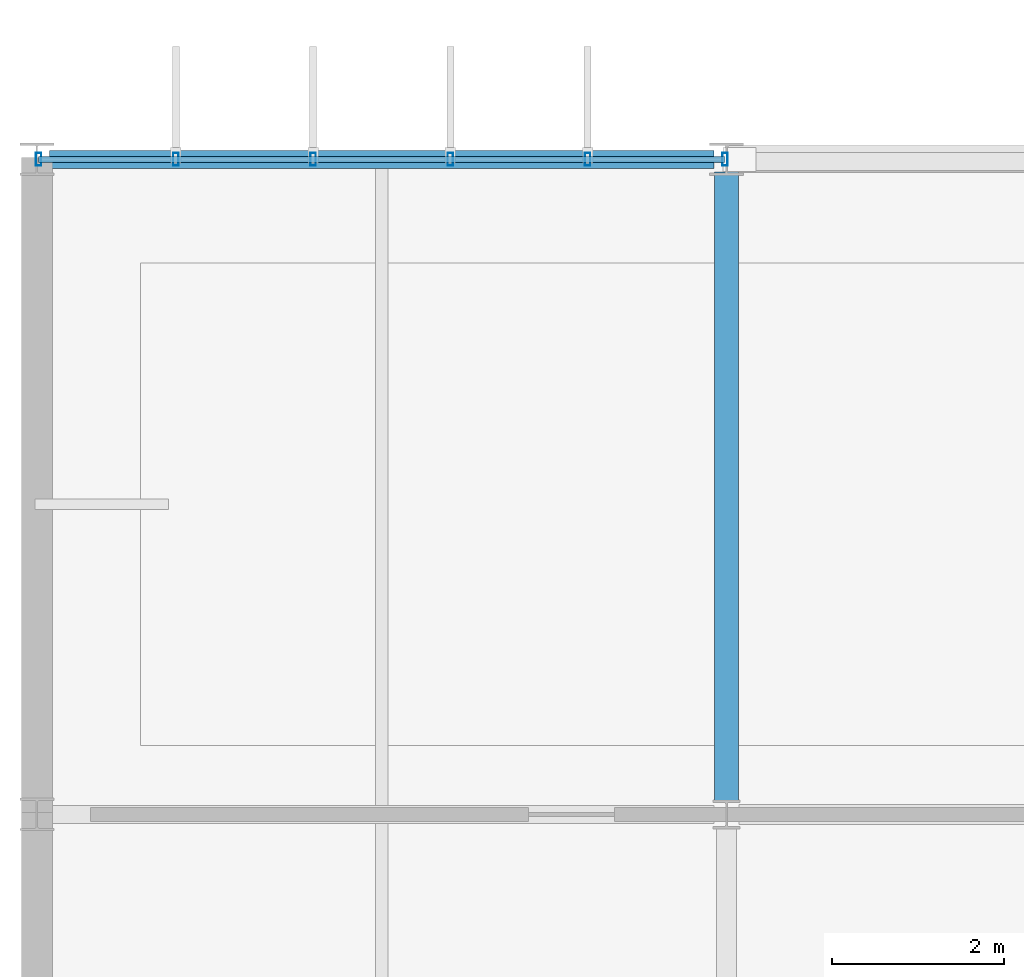
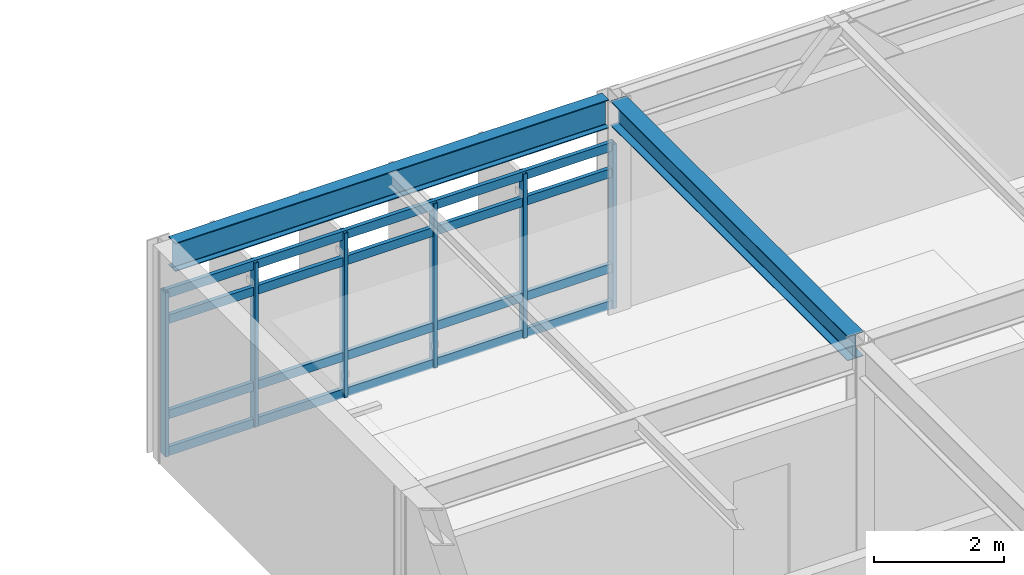
# One storey, part 24 of 85: 10 members, 2 beams, 1 element without a shape of its own.
"""IFC4 building model written with IfcOpenShell, lengths in metres."""

from ifc_helpers import new_model, si_unit, direction, frame, origin, origin_2d, place, context, subcontext, project, spatial, hollow_rectangle, i_section, extrude, material, material_profile, profile_set, type_object, element, aggregate, save


model = new_model("IFC4")

# Units and contexts
model_context = context("Model", 3, precision=1e-05, world=origin(), true_north=direction((0.0, 1.0)))
body_context = subcontext(model_context, "Body", "Model", "MODEL_VIEW")
ifc_project = project(units=[si_unit("LENGTHUNIT", "METRE"), si_unit("AREAUNIT", "SQUARE_METRE"), si_unit("VOLUMEUNIT", "CUBIC_METRE"), si_unit("PLANEANGLEUNIT", "RADIAN"), si_unit("MASSUNIT", "GRAM", prefix="KILO")], contexts=[model_context])

# Site, building, storey
site_placement = place(None, origin())
site = spatial("IfcSite", under=ifc_project, at=site_placement, CompositionType="ELEMENT")
building_placement = place(site_placement, origin())
building = spatial("IfcBuilding", under=site, at=building_placement, Name="Zulena Civic Courthouse", CompositionType="ELEMENT")
storey_placement = place(building_placement, frame((0.0, 0.0, 25.199951171875)))
storey = spatial("IfcBuildingStorey", under=building, at=storey_placement, Name="L05", CompositionType="ELEMENT", Elevation=25.199951171875)

# Curtain wall, members
ifc_material_1 = material(Name="Double-silver low-E laminated solar-control glass", Category="glass")
curtain_wall_type = type_object("IfcCurtainWallType", Name="CW_7964x3090", PredefinedType="USERDEFINED", material=ifc_material_1)
curtain_wall_placement = place(storey_placement, origin())
curtain_wall = element("IfcCurtainWall", 1, at=curtain_wall_placement, inside=storey, type_object=curtain_wall_type, Name="cw:V2:L05:1:0", ObjectType="UNITISED CURTAIN WALL", PredefinedType="USERDEFINED")
ifc_material_2 = material(Name="Bronze anodised thermally broken aluminium AA6063-T6", Category="aluminium")
ifc_material_profile_1 = material_profile(ifc_material_2, hollow_rectangle(XDim=0.06494140625, YDim=0.14990234375, WallThickness=0.00390625, at=origin_2d()), Name="CWM150X65X4")
ifc_profile_set_1 = profile_set([ifc_material_profile_1], Name="Bronze anodised thermally broken aluminium AA6063-T6")
member_type_1 = type_object("IfcMemberType", Name="CWMullion_150x65", PredefinedType="MULLION", material=ifc_profile_set_1)
member_1_placement = place(storey_placement, frame((4.01806640625, 22.800048828125, 0.0), z_axis=(0.0, 0.0, 1.0), x_axis=(1.0, 0.0, 0.0)))
member_1 = element("IfcMember", 2, at=member_1_placement, type_object=member_type_1, Name="cw:V2:L05:1:0:mull:0", PredefinedType="MULLION", context=body_context, shape_type="SweptSolid", body=[
    extrude(hollow_rectangle(XDim=0.06494140625, YDim=0.14990234375, WallThickness=0.00390625, at=origin_2d()), origin(), (0.0, 0.0, 1.0), 3.090087890625),
])
member_2_placement = place(storey_placement, frame((5.61083984375, 22.800048828125, 0.0), z_axis=(0.0, 0.0, 1.0), x_axis=(1.0, 0.0, 0.0)))
member_2 = element("IfcMember", 3, at=member_2_placement, type_object=member_type_1, Name="cw:V2:L05:1:0:mull:1", PredefinedType="MULLION", context=body_context, shape_type="SweptSolid", body=[
    extrude(hollow_rectangle(XDim=0.06494140625, YDim=0.14990234375, WallThickness=0.00390625, at=origin_2d()), origin(), (0.0, 0.0, 1.0), 3.090087890625),
])
member_3_placement = place(storey_placement, frame((7.20361328125, 22.800048828125, 0.0), z_axis=(0.0, 0.0, 1.0), x_axis=(1.0, 0.0, 0.0)))
member_3 = element("IfcMember", 4, at=member_3_placement, type_object=member_type_1, Name="cw:V2:L05:1:0:mull:2", PredefinedType="MULLION", context=body_context, shape_type="SweptSolid", body=[
    extrude(hollow_rectangle(XDim=0.06494140625, YDim=0.14990234375, WallThickness=0.00390625, at=origin_2d()), origin(), (0.0, 0.0, 1.0), 3.090087890625),
])
member_4_placement = place(storey_placement, frame((8.79638671875, 22.800048828125, 0.0), z_axis=(0.0, 0.0, 1.0), x_axis=(1.0, 0.0, 0.0)))
member_4 = element("IfcMember", 5, at=member_4_placement, type_object=member_type_1, Name="cw:V2:L05:1:0:mull:3", PredefinedType="MULLION", context=body_context, shape_type="SweptSolid", body=[
    extrude(hollow_rectangle(XDim=0.06494140625, YDim=0.14990234375, WallThickness=0.00390625, at=origin_2d()), origin(), (0.0, 0.0, 1.0), 3.090087890625),
])
member_5_placement = place(storey_placement, frame((10.38916015625, 22.800048828125, 0.0), z_axis=(0.0, 0.0, 1.0), x_axis=(1.0, 0.0, 0.0)))
member_5 = element("IfcMember", 6, at=member_5_placement, type_object=member_type_1, Name="cw:V2:L05:1:0:mull:4", PredefinedType="MULLION", context=body_context, shape_type="SweptSolid", body=[
    extrude(hollow_rectangle(XDim=0.06494140625, YDim=0.14990234375, WallThickness=0.00390625, at=origin_2d()), origin(), (0.0, 0.0, 1.0), 3.090087890625),
])
member_6_placement = place(storey_placement, frame((11.98193359375, 22.800048828125, 0.0), z_axis=(0.0, 0.0, 1.0), x_axis=(1.0, 0.0, 0.0)))
member_6 = element("IfcMember", 7, at=member_6_placement, type_object=member_type_1, Name="cw:V2:L05:1:0:mull:5", PredefinedType="MULLION", context=body_context, shape_type="SweptSolid", body=[
    extrude(hollow_rectangle(XDim=0.06494140625, YDim=0.14990234375, WallThickness=0.00390625, at=origin_2d()), origin(), (0.0, 0.0, 1.0), 3.090087890625),
])
ifc_material_profile_2 = material_profile(ifc_material_2, hollow_rectangle(XDim=0.070068359375, YDim=0.1650390625, WallThickness=0.00390625, at=origin_2d()), Name="CWT165X70X4")
ifc_profile_set_2 = profile_set([ifc_material_profile_2], Name="Bronze anodised thermally broken aluminium AA6063-T6")
member_type_2 = type_object("IfcMemberType", Name="CWTransom_165x70", PredefinedType="USERDEFINED", material=ifc_profile_set_2)
member_7_placement = place(storey_placement, frame((4.01806640625, 22.800048828125, 0.06005859375), z_axis=(1.0, 0.0, 0.0), x_axis=(0.0, 1.0, 0.0)))
member_7 = element("IfcMember", 8, at=member_7_placement, type_object=member_type_2, Name="cw:V2:L05:1:0:tran:0", ObjectType="TRANSOM", PredefinedType="USERDEFINED", context=body_context, shape_type="SweptSolid", body=[
    extrude(hollow_rectangle(XDim=0.070068359375, YDim=0.1650390625, WallThickness=0.00390625, at=origin_2d()), origin(), (0.0, 0.0, 1.0), 7.9638671875),
])
member_8_placement = place(storey_placement, frame((4.01806640625, 22.800048828125, 0.75), z_axis=(1.0, 0.0, 0.0), x_axis=(0.0, 1.0, 0.0)))
member_8 = element("IfcMember", 9, at=member_8_placement, type_object=member_type_2, Name="cw:V2:L05:1:0:tran:1", ObjectType="TRANSOM", PredefinedType="USERDEFINED", context=body_context, shape_type="SweptSolid", body=[
    extrude(hollow_rectangle(XDim=0.070068359375, YDim=0.1650390625, WallThickness=0.00390625, at=origin_2d()), origin(), (0.0, 0.0, 1.0), 7.9638671875),
])
member_9_placement = place(storey_placement, frame((4.01806640625, 22.800048828125, 2.5400390625), z_axis=(1.0, 0.0, 0.0), x_axis=(0.0, 1.0, 0.0)))
member_9 = element("IfcMember", 10, at=member_9_placement, type_object=member_type_2, Name="cw:V2:L05:1:0:tran:2", ObjectType="TRANSOM", PredefinedType="USERDEFINED", context=body_context, shape_type="SweptSolid", body=[
    extrude(hollow_rectangle(XDim=0.070068359375, YDim=0.1650390625, WallThickness=0.00390625, at=origin_2d()), origin(), (0.0, 0.0, 1.0), 7.9638671875),
])
member_10_placement = place(storey_placement, frame((4.01806640625, 22.800048828125, 3.030029296875), z_axis=(1.0, 0.0, 0.0), x_axis=(0.0, 1.0, 0.0)))
member_10 = element("IfcMember", 11, at=member_10_placement, type_object=member_type_2, Name="cw:V2:L05:1:0:tran:3", ObjectType="TRANSOM", PredefinedType="USERDEFINED", context=body_context, shape_type="SweptSolid", body=[
    extrude(hollow_rectangle(XDim=0.070068359375, YDim=0.1650390625, WallThickness=0.00390625, at=origin_2d()), origin(), (0.0, 0.0, 1.0), 7.9638671875),
])
aggregate(curtain_wall, [member_1, member_2, member_3, member_4, member_5, member_6, member_7, member_8, member_9, member_10])

# Beams
ifc_material_3 = material(Name="Steel ASTM A992 Grade 50", Category="steel")
ifc_material_profile_3 = material_profile(ifc_material_3, i_section(OverallWidth=0.280029296875, OverallDepth=0.462890625, WebThickness=0.0107421875, FlangeThickness=0.017333984375, FilletRadius=0.01025390625, at=origin_2d()), Name="W18X76")
ifc_profile_set_3 = profile_set([ifc_material_profile_3], Name="Steel ASTM A992 Grade 50")
beam_type_1 = type_object("IfcBeamType", Name="Spandrel_W18X76", PredefinedType="SPANDREL", material=ifc_profile_set_3)
beam_1_placement = place(storey_placement, frame((12.0, 15.344970703125, 3.758544921875), z_axis=(0.0, 1.0, 0.0), x_axis=(-1.0, 0.0, 0.0)))
element("IfcBeam", 12, at=beam_1_placement, inside=storey, type_object=beam_type_1, Name="beam:Y:V2:L05:12.0:15.2_22.8", PredefinedType="SPANDREL", context=body_context, shape_type="SweptSolid", body=[
    extrude(i_section(OverallWidth=0.280029296875, OverallDepth=0.462890625, WebThickness=0.0107421875, FlangeThickness=0.017333984375, FilletRadius=0.01025390625, at=origin_2d()), origin(), (0.0, 0.0, 1.0), 7.31005859375),
])
ifc_material_profile_4 = material_profile(ifc_material_3, i_section(OverallWidth=0.2099609375, OverallDepth=0.537109375, WebThickness=0.010986328125, FlangeThickness=0.017333984375, FilletRadius=0.0126953125, at=origin_2d()), Name="W21X68")
ifc_profile_set_4 = profile_set([ifc_material_profile_4], Name="Steel ASTM A992 Grade 50")
beam_type_2 = type_object("IfcBeamType", Name="Spandrel_W21X68", PredefinedType="SPANDREL", material=ifc_profile_set_4)
beam_2_placement = place(storey_placement, frame((4.14501953125, 22.800048828125, 3.721435546875), z_axis=(1.0, 0.0, 0.0), x_axis=(0.0, 1.0, 0.0)))
element("IfcBeam", 13, at=beam_2_placement, inside=storey, type_object=beam_type_2, Name="beam:X:V2:L05:22.8:4.0_12.0", PredefinedType="SPANDREL", context=body_context, shape_type="SweptSolid", body=[
    extrude(i_section(OverallWidth=0.2099609375, OverallDepth=0.537109375, WebThickness=0.010986328125, FlangeThickness=0.017333984375, FilletRadius=0.0126953125, at=origin_2d()), origin(), (0.0, 0.0, 1.0), 7.7099609375),
])

save(model, "model.ifc")
